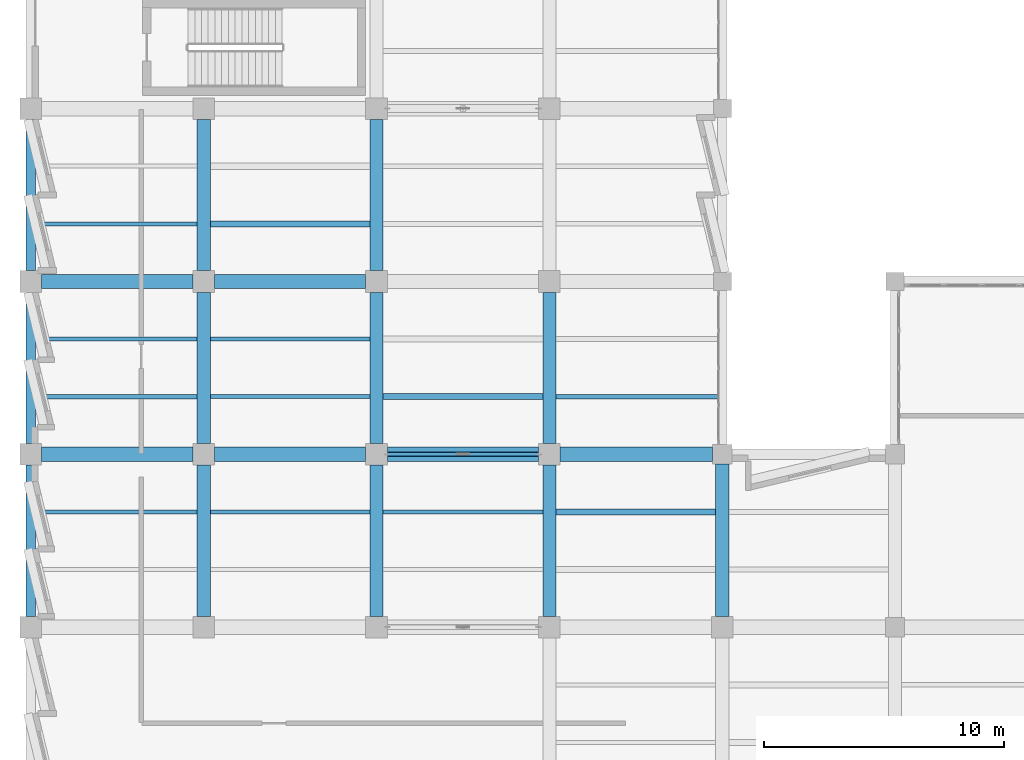
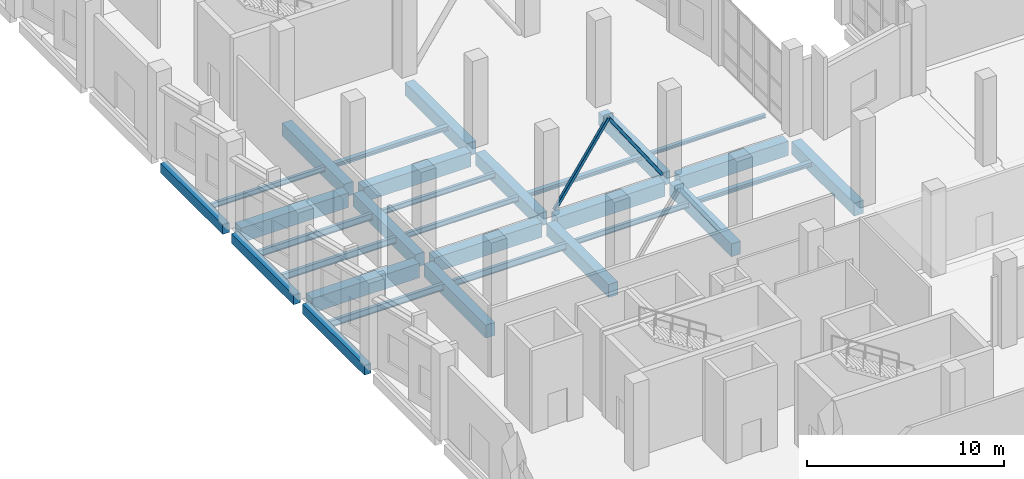
# One storey, part 13 of 137: 30 beams, 2 members.
"""IFC4 building model written with IfcOpenShell, lengths in metres."""

from ifc_helpers import new_model, si_unit, direction, frame, origin, origin_2d, place, context, subcontext, project, spatial, rectangle, hollow_rectangle, i_section, extrude, material, material_profile, profile_set, type_object, element, save


model = new_model("IFC4")

# Units and contexts
model_context = context("Model", 3, precision=1e-05, world=origin(), true_north=direction((0.0, 1.0)))
body_context = subcontext(model_context, "Body", "Model", "MODEL_VIEW")
ifc_project = project(units=[si_unit("LENGTHUNIT", "METRE"), si_unit("AREAUNIT", "SQUARE_METRE"), si_unit("VOLUMEUNIT", "CUBIC_METRE"), si_unit("PLANEANGLEUNIT", "RADIAN"), si_unit("MASSUNIT", "GRAM", prefix="KILO")], contexts=[model_context])

# Site, building, storey
site_placement = place(None, origin())
site = spatial("IfcSite", under=ifc_project, at=site_placement, CompositionType="ELEMENT")
building_placement = place(site_placement, origin())
building = spatial("IfcBuilding", under=site, at=building_placement, Name="Kalmorath City Hall", CompositionType="ELEMENT")
storey_placement = place(building_placement, origin())
storey = spatial("IfcBuildingStorey", under=building, at=storey_placement, Name="L00", CompositionType="ELEMENT", Elevation=0.0)

# Beams
ifc_material_1 = material(Name="Concrete C40/50", Category="concrete")
ifc_material_profile_1 = material_profile(ifc_material_1, rectangle(XDim=0.39990234375, YDim=0.60009765625, at=origin_2d()), Name="RC-BM-400X600")
ifc_profile_set_1 = profile_set([ifc_material_profile_1], Name="Concrete C40/50")
beam_type_1 = type_object("IfcBeamType", Name="Concrete edge beam 400x600", PredefinedType="SPANDREL", material=ifc_profile_set_1)
for number, where, z_axis, x_axis, name in (
    (1, (0.0, 29.25, -0.60400390625), (0.0, 1.0, 0.0), (-1.0, 0.0, 0.0), "L00 girder CB6 Y1/5-6"),
    (2, (0.0, 36.449951171875, -0.60400390625), (0.0, 1.0, 0.0), (-1.0, 0.0, 0.0), "L00 girder CB6 Y1/6-7"),
    (3, (0.0, 43.64990234375, -0.60400390625), (0.0, 1.0, 0.0), (-1.0, 0.0, 0.0), "L00 girder CB6 Y1/7-8"),
):
    element("IfcBeam", number, at=place(storey_placement, frame(where, z_axis=z_axis, x_axis=x_axis)), inside=storey, type_object=beam_type_1, Name=name, PredefinedType="SPANDREL", context=body_context, shape_type="SweptSolid", body=[
        extrude(rectangle(XDim=0.39990234375, YDim=0.60009765625, at=origin_2d()), origin(), (0.0, 0.0, 1.0), 6.300048828125),
    ])
ifc_material_2 = material(Name="Concrete C40/50", Category="concrete")
ifc_material_profile_2 = material_profile(ifc_material_2, rectangle(XDim=0.550048828125, YDim=0.800048828125, at=origin_2d()), Name="RC-BM-550X800")
ifc_profile_set_2 = profile_set([ifc_material_profile_2], Name="Concrete C40/50")
beam_type_2 = type_object("IfcBeamType", Name="Concrete floor girder 550x800", PredefinedType="BEAM", material=ifc_profile_set_2)
for number, where, z_axis, x_axis, name in (
    (4, (7.199951171875, 29.25, -0.7041015625), (0.0, 1.0, 0.0), (-1.0, 0.0, 0.0), "L00 girder CB2 Y2/5-6"),
    (5, (7.199951171875, 36.449951171875, -0.7041015625), (0.0, 1.0, 0.0), (-1.0, 0.0, 0.0), "L00 girder CB2 Y2/6-7"),
    (6, (7.199951171875, 43.64990234375, -0.7041015625), (0.0, 1.0, 0.0), (-1.0, 0.0, 0.0), "L00 girder CB2 Y2/7-8"),
    (7, (14.39990234375, 29.25, -0.7041015625), (0.0, 1.0, 0.0), (-1.0, 0.0, 0.0), "L00 girder CB2 Y3/5-6"),
    (8, (14.39990234375, 36.449951171875, -0.7041015625), (0.0, 1.0, 0.0), (-1.0, 0.0, 0.0), "L00 girder CB2 Y3/6-7"),
    (9, (14.39990234375, 43.64990234375, -0.7041015625), (0.0, 1.0, 0.0), (-1.0, 0.0, 0.0), "L00 girder CB2 Y3/7-8"),
    (10, (21.60009765625, 29.25, -0.7041015625), (0.0, 1.0, 0.0), (-1.0, 0.0, 0.0), "L00 girder CB2 Y4/5-6"),
    (11, (21.60009765625, 36.449951171875, -0.7041015625), (0.0, 1.0, 0.0), (-1.0, 0.0, 0.0), "L00 girder CB2 Y4/6-7"),
):
    element("IfcBeam", number, at=place(storey_placement, frame(where, z_axis=z_axis, x_axis=x_axis)), inside=storey, type_object=beam_type_2, Name=name, PredefinedType="BEAM", context=body_context, shape_type="SweptSolid", body=[
        extrude(rectangle(XDim=0.550048828125, YDim=0.800048828125, at=origin_2d()), origin(), (0.0, 0.0, 1.0), 6.300048828125),
    ])
beam_1_placement = place(storey_placement, frame((28.800048828125, 29.25, -0.7041015625), z_axis=(0.0, 1.0, 0.0), x_axis=(-1.0, 0.0, 0.0)))
element("IfcBeam", 12, at=beam_1_placement, inside=storey, type_object=beam_type_2, Name="L00 girder CB2 Y5/5-6", PredefinedType="BEAM", context=body_context, shape_type="SweptSolid", body=[
    extrude(rectangle(XDim=0.550048828125, YDim=0.800048828125, at=origin_2d()), origin(), (0.0, 0.0, 1.0), 6.35009765625),
])
ifc_material_3 = material(Name="Concrete C40/50", Category="concrete")
ifc_material_profile_3 = material_profile(ifc_material_3, rectangle(XDim=0.60009765625, YDim=0.89990234375, at=origin_2d()), Name="RC-BM-600X900")
ifc_profile_set_3 = profile_set([ifc_material_profile_3], Name="Concrete C40/50")
beam_type_3 = type_object("IfcBeamType", Name="Concrete floor girder 600x900", PredefinedType="BEAM", material=ifc_profile_set_3)
for number, where, z_axis, x_axis, name in (
    (13, (0.449951171875, 36.0, -0.75390625), (1.0, 0.0, 0.0), (0.0, 1.0, 0.0), "L00 girder CB1 X1-2/6"),
    (14, (7.64990234375, 36.0, -0.75390625), (1.0, 0.0, 0.0), (0.0, 1.0, 0.0), "L00 girder CB1 X2-3/6"),
):
    element("IfcBeam", number, at=place(storey_placement, frame(where, z_axis=z_axis, x_axis=x_axis)), inside=storey, type_object=beam_type_3, Name=name, PredefinedType="BEAM", context=body_context, shape_type="SweptSolid", body=[
        extrude(rectangle(XDim=0.60009765625, YDim=0.89990234375, at=origin_2d()), origin(), (0.0, 0.0, 1.0), 6.300048828125),
    ])
beam_2_placement = place(storey_placement, frame((14.85009765625, 36.0, -0.75390625), z_axis=(1.0, 0.0, 0.0), x_axis=(0.0, 1.0, 0.0)))
element("IfcBeam", 15, at=beam_2_placement, inside=storey, type_object=beam_type_3, Name="L00 girder CB1 X3-4/6", PredefinedType="BEAM", context=body_context, shape_type="SweptSolid", body=[
    extrude(rectangle(XDim=0.60009765625, YDim=0.89990234375, at=origin_2d()), origin(), (0.0, 0.0, 1.0), 6.2998046875),
])
beam_3_placement = place(storey_placement, frame((22.050048828125, 36.0, -0.75390625), z_axis=(1.0, 0.0, 0.0), x_axis=(0.0, 1.0, 0.0)))
element("IfcBeam", 16, at=beam_3_placement, inside=storey, type_object=beam_type_3, Name="L00 girder CB1 X4-5/6", PredefinedType="BEAM", context=body_context, shape_type="SweptSolid", body=[
    extrude(rectangle(XDim=0.60009765625, YDim=0.89990234375, at=origin_2d()), origin(), (0.0, 0.0, 1.0), 6.349853515625),
])
for number, where, z_axis, x_axis, name in (
    (17, (0.449951171875, 43.199951171875, -0.75390625), (1.0, 0.0, 0.0), (0.0, 1.0, 0.0), "L00 girder CB1 X1-2/7"),
    (18, (7.64990234375, 43.199951171875, -0.75390625), (1.0, 0.0, 0.0), (0.0, 1.0, 0.0), "L00 girder CB1 X2-3/7"),
):
    element("IfcBeam", number, at=place(storey_placement, frame(where, z_axis=z_axis, x_axis=x_axis)), inside=storey, type_object=beam_type_3, Name=name, PredefinedType="BEAM", context=body_context, shape_type="SweptSolid", body=[
        extrude(rectangle(XDim=0.60009765625, YDim=0.89990234375, at=origin_2d()), origin(), (0.0, 0.0, 1.0), 6.300048828125),
    ])
ifc_material_4 = material(Name="Steel ASTM A992 Grade 50", Category="steel")
ifc_material_profile_4 = material_profile(ifc_material_4, i_section(OverallWidth=0.177001953125, OverallDepth=0.403076171875, WebThickness=0.007568359375, FlangeThickness=0.010986328125, FilletRadius=0.012939453125, at=origin_2d()), Name="W16X36")
ifc_profile_set_4 = profile_set([ifc_material_profile_4], Name="Steel ASTM A992 Grade 50")
beam_type_4 = type_object("IfcBeamType", Name="Steel composite joist W16X36", PredefinedType="JOIST", material=ifc_profile_set_4)
for number, where, z_axis, x_axis, name in (
    (19, (0.199951171875, 38.39990234375, -0.505615234375), (1.0, 0.0, 0.0), (0.0, 1.0, 0.0), "L00 joist SJ7 1.6.1"),
    (20, (0.199951171875, 40.800048828125, -0.505615234375), (1.0, 0.0, 0.0), (0.0, 1.0, 0.0), "L00 joist SJ7 1.6.2"),
):
    element("IfcBeam", number, at=place(storey_placement, frame(where, z_axis=z_axis, x_axis=x_axis)), inside=storey, type_object=beam_type_4, Name=name, PredefinedType="JOIST", context=body_context, shape_type="SweptSolid", body=[
        extrude(i_section(OverallWidth=0.177001953125, OverallDepth=0.403076171875, WebThickness=0.007568359375, FlangeThickness=0.010986328125, FilletRadius=0.012939453125, at=origin_2d()), origin(), (0.0, 0.0, 1.0), 6.72509765625),
    ])
beam_4_placement = place(storey_placement, frame((7.47509765625, 33.60009765625, -0.505615234375), z_axis=(1.0, 0.0, 0.0), x_axis=(0.0, 1.0, 0.0)))
element("IfcBeam", 21, at=beam_4_placement, inside=storey, type_object=beam_type_4, Name="L00 joist SJ7 2.5.2", PredefinedType="JOIST", context=body_context, shape_type="SweptSolid", body=[
    extrude(i_section(OverallWidth=0.177001953125, OverallDepth=0.403076171875, WebThickness=0.007568359375, FlangeThickness=0.010986328125, FilletRadius=0.012939453125, at=origin_2d()), origin(), (0.0, 0.0, 1.0), 6.64990234375),
])
ifc_material_5 = material(Name="Steel ASTM A992 Grade 50", Category="steel")
ifc_material_profile_5 = material_profile(ifc_material_5, i_section(OverallWidth=0.178955078125, OverallDepth=0.409912109375, WebThickness=0.0087890625, FlangeThickness=0.014404296875, FilletRadius=0.012939453125, at=origin_2d()), Name="W16X45")
ifc_profile_set_5 = profile_set([ifc_material_profile_5], Name="Steel ASTM A992 Grade 50")
beam_type_5 = type_object("IfcBeamType", Name="Steel composite joist W16X45", PredefinedType="JOIST", material=ifc_profile_set_5)
beam_5_placement = place(storey_placement, frame((0.199951171875, 33.60009765625, -0.509033203125), z_axis=(1.0, 0.0, 0.0), x_axis=(0.0, 1.0, 0.0)))
element("IfcBeam", 22, at=beam_5_placement, inside=storey, type_object=beam_type_5, Name="L00 joist SJ6 1.5.2", PredefinedType="JOIST", context=body_context, shape_type="SweptSolid", body=[
    extrude(i_section(OverallWidth=0.178955078125, OverallDepth=0.409912109375, WebThickness=0.0087890625, FlangeThickness=0.014404296875, FilletRadius=0.012939453125, at=origin_2d()), origin(), (0.0, 0.0, 1.0), 6.72509765625),
])
ifc_material_6 = material(Name="Steel ASTM A992 Grade 50", Category="steel")
ifc_material_profile_6 = material_profile(ifc_material_6, i_section(OverallWidth=0.202880859375, OverallDepth=0.202880859375, WebThickness=0.007080078125, FlangeThickness=0.010986328125, FilletRadius=0.010986328125, at=origin_2d()), Name="W8X31")
ifc_profile_set_6 = profile_set([ifc_material_profile_6], Name="Steel ASTM A992 Grade 50")
beam_type_6 = type_object("IfcBeamType", Name="Steel edge trimmer W8X31", PredefinedType="LINTEL", material=ifc_profile_set_6)
beam_6_placement = place(storey_placement, frame((21.875, 38.39990234375, -0.405517578125), z_axis=(1.0, 0.0, 0.0), x_axis=(0.0, 1.0, 0.0)))
element("IfcBeam", 23, at=beam_6_placement, inside=storey, type_object=beam_type_6, Name="L00 joist SJ16 4.6.1", PredefinedType="LINTEL", context=body_context, shape_type="SweptSolid", body=[
    extrude(i_section(OverallWidth=0.202880859375, OverallDepth=0.202880859375, WebThickness=0.007080078125, FlangeThickness=0.010986328125, FilletRadius=0.010986328125, at=origin_2d()), origin(), (0.0, 0.0, 1.0), 6.72509765625),
])
ifc_material_7 = material(Name="Steel ASTM A992 Grade 50", Category="steel")
ifc_material_profile_7 = material_profile(ifc_material_7, i_section(OverallWidth=0.1669921875, OverallDepth=0.318115234375, WebThickness=0.007568359375, FlangeThickness=0.01318359375, FilletRadius=0.012939453125, at=origin_2d()), Name="W12X35")
ifc_profile_set_7 = profile_set([ifc_material_profile_7], Name="Steel ASTM A992 Grade 50")
beam_type_7 = type_object("IfcBeamType", Name="Steel header lintel W12X35", PredefinedType="LINTEL", material=ifc_profile_set_7)
beam_7_placement = place(storey_placement, frame((0.199951171875, 45.60009765625, -0.462890625), z_axis=(1.0, 0.0, 0.0), x_axis=(0.0, 1.0, 0.0)))
element("IfcBeam", 24, at=beam_7_placement, inside=storey, type_object=beam_type_7, Name="L00 joist SJ13 1.7.1", PredefinedType="LINTEL", context=body_context, shape_type="SweptSolid", body=[
    extrude(i_section(OverallWidth=0.1669921875, OverallDepth=0.318115234375, WebThickness=0.007568359375, FlangeThickness=0.01318359375, FilletRadius=0.012939453125, at=origin_2d()), origin(), (0.0, 0.0, 1.0), 6.72509765625),
])
for number, where, z_axis, x_axis, name in (
    (25, (7.47509765625, 38.39990234375, -0.462890625), (1.0, 0.0, 0.0), (0.0, 1.0, 0.0), "L00 joist SJ13 2.6.1"),
    (26, (7.47509765625, 40.800048828125, -0.462890625), (1.0, 0.0, 0.0), (0.0, 1.0, 0.0), "L00 joist SJ13 2.6.2"),
    (27, (14.675048828125, 33.60009765625, -0.462890625), (1.0, 0.0, 0.0), (0.0, 1.0, 0.0), "L00 joist SJ13 3.5.2"),
):
    element("IfcBeam", number, at=place(storey_placement, frame(where, z_axis=z_axis, x_axis=x_axis)), inside=storey, type_object=beam_type_7, Name=name, PredefinedType="LINTEL", context=body_context, shape_type="SweptSolid", body=[
        extrude(i_section(OverallWidth=0.1669921875, OverallDepth=0.318115234375, WebThickness=0.007568359375, FlangeThickness=0.01318359375, FilletRadius=0.012939453125, at=origin_2d()), origin(), (0.0, 0.0, 1.0), 6.64990234375),
    ])

# Members
ifc_material_8 = material(Name="Steel ASTM A500 Grade C", Category="steel")
ifc_material_profile_8 = material_profile(ifc_material_8, hollow_rectangle(XDim=0.177978515625, YDim=0.177978515625, WallThickness=0.0087890625, InnerFilletRadius=0.0087890625, OuterFilletRadius=0.017822265625, at=origin_2d()), Name="HSS178X178X9.5")
ifc_profile_set_8 = profile_set([ifc_material_profile_8], Name="Steel ASTM A500 Grade C")
member_type = type_object("IfcMemberType", Name="Steel seismic brace HSS178X178X9.5", PredefinedType="BRACE", material=ifc_profile_set_8)
for number, where, z_axis, x_axis, name in (
    (28, (14.85009765625, 36.0, 0.0), (0.563315147865, 0.0, 0.826242122012), (0.0, 1.0, 0.0), "L00 chevron brace BR3 2A"),
    (29, (21.14990234375, 36.0, 0.0), (-0.563315147865, 0.0, 0.826242122012), (0.0, -1.0, 0.0), "L00 chevron brace BR3 2B"),
):
    element("IfcMember", number, at=place(storey_placement, frame(where, z_axis=z_axis, x_axis=x_axis)), inside=storey, type_object=member_type, Name=name, PredefinedType="BRACE", context=body_context, shape_type="SweptSolid", body=[
        extrude(hollow_rectangle(XDim=0.177978515625, YDim=0.177978515625, WallThickness=0.0087890625, InnerFilletRadius=0.0087890625, OuterFilletRadius=0.017822265625, at=origin_2d()), origin(), (0.0, 0.0, 1.0), 5.591796875),
    ])

# Beams
ifc_material_9 = material(Name="Steel ASTM A992 Grade 50", Category="steel")
ifc_material_profile_9 = material_profile(ifc_material_9, i_section(OverallWidth=0.25390625, OverallDepth=0.2529296875, WebThickness=0.008544921875, FlangeThickness=0.01416015625, FilletRadius=0.011962890625, at=origin_2d()), Name="W10X49")
ifc_profile_set_9 = profile_set([ifc_material_profile_9], Name="Steel ASTM A992 Grade 50")
beam_type_8 = type_object("IfcBeamType", Name="Steel trimmer beam W10X49", PredefinedType="BEAM", material=ifc_profile_set_9)
for number, where, z_axis, x_axis, name in (
    (30, (7.47509765625, 45.60009765625, -0.430419921875), (1.0, 0.0, 0.0), (0.0, 1.0, 0.0), "L00 joist SJ14 2.7.1"),
    (31, (14.675048828125, 38.39990234375, -0.430419921875), (1.0, 0.0, 0.0), (0.0, 1.0, 0.0), "L00 joist SJ14 3.6.1"),
    (32, (21.875, 33.60009765625, -0.430419921875), (1.0, 0.0, 0.0), (0.0, 1.0, 0.0), "L00 joist SJ14 4.5.2"),
):
    element("IfcBeam", number, at=place(storey_placement, frame(where, z_axis=z_axis, x_axis=x_axis)), inside=storey, type_object=beam_type_8, Name=name, PredefinedType="BEAM", context=body_context, shape_type="SweptSolid", body=[
        extrude(i_section(OverallWidth=0.25390625, OverallDepth=0.2529296875, WebThickness=0.008544921875, FlangeThickness=0.01416015625, FilletRadius=0.011962890625, at=origin_2d()), origin(), (0.0, 0.0, 1.0), 6.64990234375),
    ])

save(model, "model.ifc")
